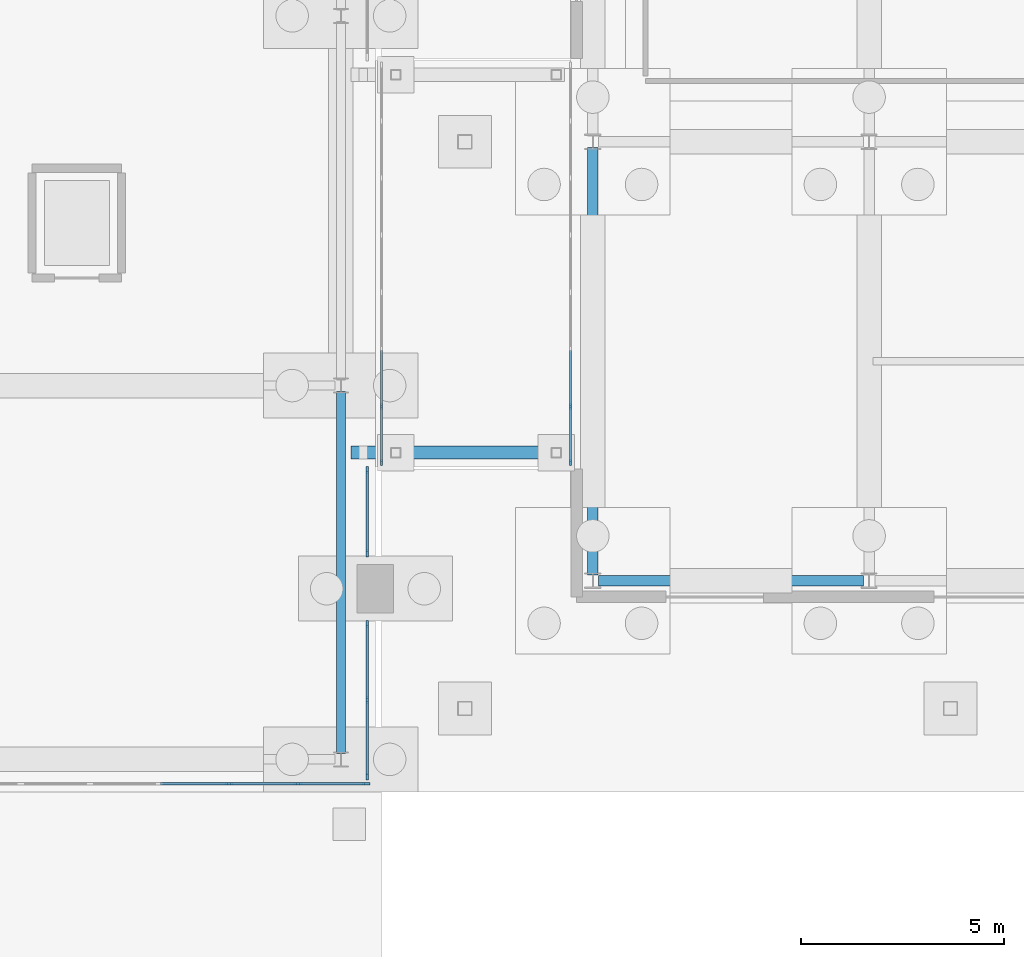
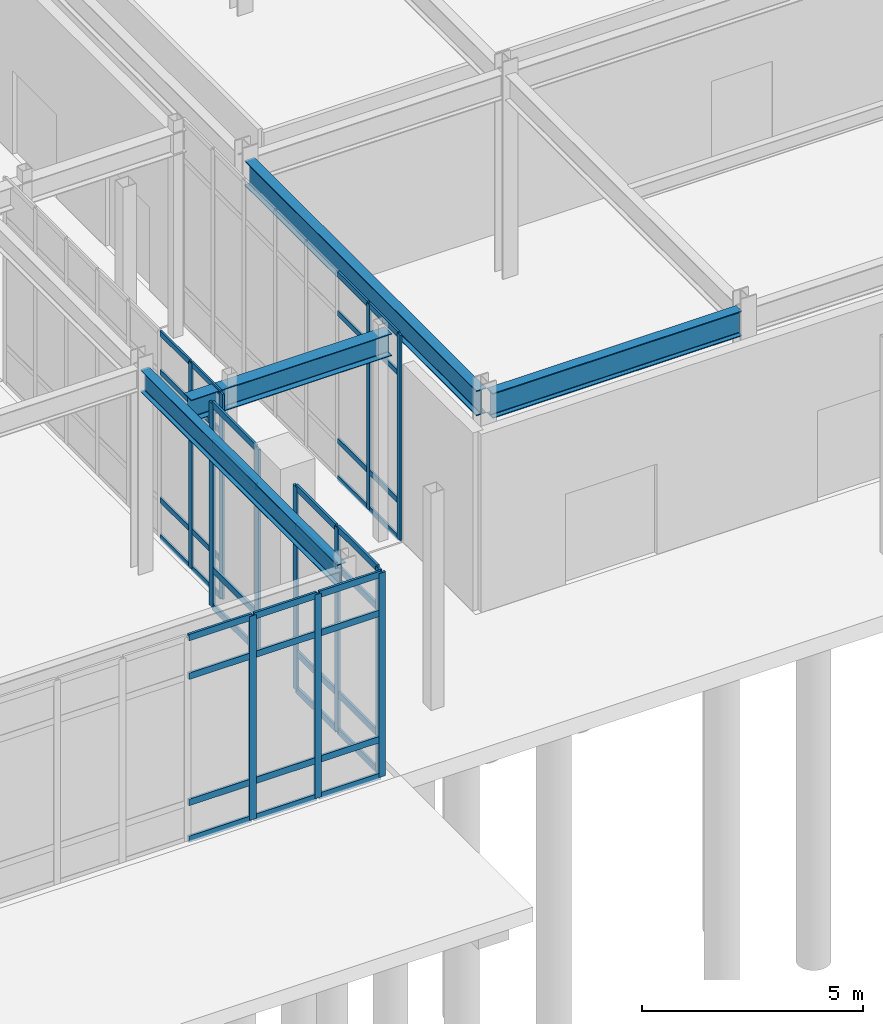
# One storey, part 55 of 143: 52 members, 4 beams, 5 elements without a shape of their own.
"""IFC4 building model written with IfcOpenShell, lengths in metres."""

from ifc_helpers import new_model, si_unit, derived_unit, direction, frame, origin, origin_2d, place, context, subcontext, project, spatial, rectangle, i_section, extrude, material, layer, layer_set, material_profile, profile_set, type_object, element, aggregate, save


model = new_model("IFC4")

# Units and contexts
model_context = context("Model", 3, precision=1e-05, world=origin(), true_north=direction((0.0, 1.0)))
body_context = subcontext(model_context, "Body", "Model", "MODEL_VIEW")
ifc_project = project(units=[si_unit("LENGTHUNIT", "METRE"), si_unit("AREAUNIT", "SQUARE_METRE"), si_unit("VOLUMEUNIT", "CUBIC_METRE"), si_unit("PLANEANGLEUNIT", "RADIAN"), si_unit("MASSUNIT", "GRAM", prefix="KILO"), derived_unit("THERMALTRANSMITTANCEUNIT", [(si_unit("MASSUNIT", "GRAM", prefix="KILO"), 1), (si_unit("TIMEUNIT", "SECOND"), -3), (si_unit("THERMODYNAMICTEMPERATUREUNIT", "KELVIN"), -1)])], contexts=[model_context])

# Site, building, storey
site_placement = place(None, origin())
site = spatial("IfcSite", under=ifc_project, at=site_placement, CompositionType="ELEMENT")
building_placement = place(site_placement, origin())
building = spatial("IfcBuilding", under=site, at=building_placement, Name="Valcora Ridge Arena", CompositionType="ELEMENT")
storey_placement = place(building_placement, origin())
storey = spatial("IfcBuildingStorey", under=building, at=storey_placement, Name="L00", CompositionType="ELEMENT", Elevation=0.0)

# Beams
ifc_material_1 = material(Name="Steel ASTM A572 Grade 50", Category="steel")
ifc_material_profile_1 = material_profile(ifc_material_1, i_section(OverallWidth=0.324951171875, OverallDepth=0.612060546875, WebThickness=0.0126953125, FlangeThickness=0.01904296875, FilletRadius=0.01806640625, at=origin_2d()), Name="W24X104")
ifc_profile_set_1 = profile_set([ifc_material_profile_1], Name="Steel ASTM A572 Grade 50")
beam_type_1 = type_object("IfcBeamType", Name="TY-BEAM-B-SJ1", PredefinedType="BEAM", material=ifc_profile_set_1)
beam_1_placement = place(storey_placement, frame((131.25, 8.35009765625, 5.3740234375), z_axis=(1.0, 0.0, 0.0), x_axis=(0.0, 1.0, 0.0)))
element("IfcBeam", 1, at=beam_1_placement, inside=storey, type_object=beam_type_1, Name="B-SJ1 BEM-SJ-B-SJ1-0003", PredefinedType="BEAM", context=body_context, shape_type="SweptSolid", body=[
    extrude(i_section(OverallWidth=0.324951171875, OverallDepth=0.612060546875, WebThickness=0.0126953125, FlangeThickness=0.01904296875, FilletRadius=0.01806640625, at=origin_2d()), origin(), (0.0, 0.0, 1.0), 5.25),
])
ifc_material_profile_2 = material_profile(ifc_material_1, i_section(OverallWidth=0.22900390625, OverallDepth=0.612060546875, WebThickness=0.011962890625, FlangeThickness=0.01953125, FilletRadius=0.01806640625, at=origin_2d()), Name="W24X84")
ifc_profile_set_2 = profile_set([ifc_material_profile_2], Name="Steel ASTM A572 Grade 50")
beam_type_2 = type_object("IfcBeamType", Name="TY-BEAM-G-W24X84-Y", PredefinedType="BEAM", material=ifc_profile_set_2)
beam_2_placement = place(storey_placement, frame((131.0, 0.93994140625, 5.333984375), z_axis=(0.0, 1.0, 0.0), x_axis=(-1.0, 0.0, 0.0)))
element("IfcBeam", 2, at=beam_2_placement, inside=storey, type_object=beam_type_2, Name="G-W24X84-Y BEM-G-W24X84-Y-0005", PredefinedType="BEAM", context=body_context, shape_type="SweptSolid", body=[
    extrude(i_section(OverallWidth=0.22900390625, OverallDepth=0.612060546875, WebThickness=0.011962890625, FlangeThickness=0.01953125, FilletRadius=0.01806640625, at=origin_2d()), origin(), (0.0, 0.0, 1.0), 8.920166015625),
])
ifc_material_profile_3 = material_profile(ifc_material_1, i_section(OverallWidth=0.256103515625, OverallDepth=0.693115234375, WebThickness=0.014404296875, FlangeThickness=0.023681640625, FilletRadius=0.02001953125, at=origin_2d()), Name="W27X114")
ifc_profile_set_3 = profile_set([ifc_material_profile_3], Name="Steel ASTM A572 Grade 50")
beam_type_3 = type_object("IfcBeamType", Name="TY-BEAM-G-W27X114-Y", PredefinedType="BEAM", material=ifc_profile_set_3)
beam_3_placement = place(storey_placement, frame((137.199951171875, 5.340087890625, 5.2734375), z_axis=(0.0, 1.0, 0.0), x_axis=(-1.0, 0.0, 0.0)))
element("IfcBeam", 3, at=beam_3_placement, inside=storey, type_object=beam_type_3, Name="G-W27X114-Y BEM-G-W27X114-Y-0001", PredefinedType="BEAM", context=body_context, shape_type="SweptSolid", body=[
    extrude(i_section(OverallWidth=0.256103515625, OverallDepth=0.693115234375, WebThickness=0.014404296875, FlangeThickness=0.023681640625, FilletRadius=0.02001953125, at=origin_2d()), origin(), (0.0, 0.0, 1.0), 10.52001953125),
])
ifc_material_profile_4 = material_profile(ifc_material_1, i_section(OverallWidth=0.256103515625, OverallDepth=0.693115234375, WebThickness=0.014404296875, FlangeThickness=0.023681640625, FilletRadius=0.02001953125, at=origin_2d()), Name="W27X114")
ifc_profile_set_4 = profile_set([ifc_material_profile_4], Name="Steel ASTM A572 Grade 50")
beam_type_4 = type_object("IfcBeamType", Name="TY-BEAM-SP-W27X114", PredefinedType="SPANDREL", material=ifc_profile_set_4)
beam_4_placement = place(storey_placement, frame((137.340087890625, 5.199951171875, 5.2734375), z_axis=(1.0, 0.0, 0.0), x_axis=(0.0, 1.0, 0.0)))
element("IfcBeam", 4, at=beam_4_placement, inside=storey, type_object=beam_type_4, Name="SP-W27X114 BEM-SP-W27X114-0001", PredefinedType="SPANDREL", context=body_context, shape_type="SweptSolid", body=[
    extrude(i_section(OverallWidth=0.256103515625, OverallDepth=0.693115234375, WebThickness=0.014404296875, FlangeThickness=0.023681640625, FilletRadius=0.02001953125, at=origin_2d()), origin(), (0.0, 0.0, 1.0), 6.52001953125),
])

# Curtain wall, members
ifc_material_2 = material(Name="Anodised dark bronze architectural aluminium 6063-T6", Category="aluminium")
ifc_layer_1 = layer(ifc_material_2, 0.14990234375, Name="Anodised dark bronze architectural aluminium 6063-T6")
ifc_layer_set_1 = layer_set([ifc_layer_1], Name="Anodised dark bronze architectural aluminium 6063-T6")
curtain_wall_type_1 = type_object("IfcCurtainWallType", Name="TY-CURTAINWALL-CW-BRG-098X57", PredefinedType="NOTDEFINED", material=ifc_layer_set_1)
curtain_wall_1_placement = place(storey_placement, origin())
curtain_wall_1 = element("IfcCurtainWall", 5, at=curtain_wall_1_placement, inside=storey, type_object=curtain_wall_type_1, Name="CW-BRG-098X57 CW-0350", PredefinedType="NOTDEFINED")
ifc_material_profile_5 = material_profile(ifc_material_2, rectangle(XDim=0.050048828125, YDim=0.14990234375, at=origin_2d()), Name="ALU MULLION 50x150")
ifc_profile_set_5 = profile_set([ifc_material_profile_5], Name="Anodised dark bronze architectural aluminium 6063-T6")
member_type_1 = type_object("IfcMemberType", Name="TY-MEM-CWM-50x150", PredefinedType="MULLION", material=ifc_profile_set_5)
member_1_placement = place(storey_placement, frame((132.0, 8.10498046875, 0.0), z_axis=(0.0, 0.0, 1.0), x_axis=(-1.0, 0.0, 0.0)))
member_1 = element("IfcMember", 6, at=member_1_placement, type_object=member_type_1, Name="CW-0350/CWM-50x150/M00", PredefinedType="MULLION", context=body_context, shape_type="SweptSolid", body=[
    extrude(rectangle(XDim=0.050048828125, YDim=0.14990234375, at=origin_2d()), origin(), (0.0, 0.0, 1.0), 5.679931640625),
])
member_2_placement = place(storey_placement, frame((132.0, 9.485595703125, 0.0), z_axis=(0.0, 0.0, 1.0), x_axis=(-1.0, 0.0, 0.0)))
member_2 = element("IfcMember", 7, at=member_2_placement, type_object=member_type_1, Name="CW-0350/CWM-50x150/M01", PredefinedType="MULLION", context=body_context, shape_type="SweptSolid", body=[
    extrude(rectangle(XDim=0.050048828125, YDim=0.14990234375, at=origin_2d()), origin(), (0.0, 0.0, 1.0), 5.679931640625),
])

curtain_wall_2_placement = place(storey_placement, origin())
curtain_wall_2 = element("IfcCurtainWall", 8, at=curtain_wall_2_placement, inside=storey, type_object=curtain_wall_type_1, Name="CW-BRG-098X57 CW-0351", PredefinedType="NOTDEFINED")
member_3_placement = place(storey_placement, frame((136.64990234375, 8.10498046875, 0.0), z_axis=(0.0, 0.0, 1.0), x_axis=(-1.0, 0.0, 0.0)))
member_3 = element("IfcMember", 9, at=member_3_placement, type_object=member_type_1, Name="CW-0351/CWM-50x150/M00", PredefinedType="MULLION", context=body_context, shape_type="SweptSolid", body=[
    extrude(rectangle(XDim=0.050048828125, YDim=0.14990234375, at=origin_2d()), origin(), (0.0, 0.0, 1.0), 5.679931640625),
])
member_4_placement = place(storey_placement, frame((136.64990234375, 9.485595703125, 0.0), z_axis=(0.0, 0.0, 1.0), x_axis=(-1.0, 0.0, 0.0)))
member_4 = element("IfcMember", 10, at=member_4_placement, type_object=member_type_1, Name="CW-0351/CWM-50x150/M01", PredefinedType="MULLION", context=body_context, shape_type="SweptSolid", body=[
    extrude(rectangle(XDim=0.050048828125, YDim=0.14990234375, at=origin_2d()), origin(), (0.0, 0.0, 1.0), 5.679931640625),
])

ifc_layer_2 = layer(ifc_material_2, 0.179931640625, Name="Anodised dark bronze architectural aluminium 6063-T6")
ifc_layer_set_2 = layer_set([ifc_layer_2], Name="Anodised dark bronze architectural aluminium 6063-T6")
curtain_wall_type_2 = type_object("IfcCurtainWallType", Name="TY-CURTAINWALL-CW-V3-LANCET-136X56", PredefinedType="NOTDEFINED", material=ifc_layer_set_2)
curtain_wall_3_placement = place(storey_placement, origin())
curtain_wall_3 = element("IfcCurtainWall", 11, at=curtain_wall_3_placement, inside=storey, type_object=curtain_wall_type_2, Name="CW-V3-LANCET-136X56 CW-0001", PredefinedType="NOTDEFINED")
ifc_material_profile_6 = material_profile(ifc_material_2, rectangle(XDim=0.06005859375, YDim=0.179931640625, at=origin_2d()), Name="ALU MULLION 60x180")
ifc_profile_set_6 = profile_set([ifc_material_profile_6], Name="Anodised dark bronze architectural aluminium 6063-T6")
member_type_2 = type_object("IfcMemberType", Name="TY-MEM-CWM-60x180", PredefinedType="MULLION", material=ifc_profile_set_6)
member_5_placement = place(storey_placement, frame((128.237548828125, 0.199951171875, 0.0), z_axis=(0.0, 0.0, 1.0), x_axis=(0.0, 1.0, 0.0)))
member_5 = element("IfcMember", 12, at=member_5_placement, type_object=member_type_2, Name="CW-0001/CWM-60x180/M06", PredefinedType="MULLION", context=body_context, shape_type="SweptSolid", body=[
    extrude(rectangle(XDim=0.06005859375, YDim=0.179931640625, at=origin_2d()), origin(), (0.0, 0.0, 1.0), 5.639892578125),
])
member_6_placement = place(storey_placement, frame((129.943603515625, 0.199951171875, 0.0), z_axis=(0.0, 0.0, 1.0), x_axis=(0.0, 1.0, 0.0)))
member_6 = element("IfcMember", 13, at=member_6_placement, type_object=member_type_2, Name="CW-0001/CWM-60x180/M07", PredefinedType="MULLION", context=body_context, shape_type="SweptSolid", body=[
    extrude(rectangle(XDim=0.06005859375, YDim=0.179931640625, at=origin_2d()), origin(), (0.0, 0.0, 1.0), 5.639892578125),
])
member_7_placement = place(storey_placement, frame((131.6201171875, 0.199951171875, 0.0), z_axis=(0.0, 0.0, 1.0), x_axis=(0.0, 1.0, 0.0)))
member_7 = element("IfcMember", 14, at=member_7_placement, type_object=member_type_2, Name="CW-0001/CWM-60x180/M08", PredefinedType="MULLION", context=body_context, shape_type="SweptSolid", body=[
    extrude(rectangle(XDim=0.06005859375, YDim=0.179931640625, at=origin_2d()), origin(), (0.0, 0.0, 1.0), 5.639892578125),
])

ifc_layer_3 = layer(ifc_material_2, 0.179931640625, Name="Anodised dark bronze architectural aluminium 6063-T6")
ifc_layer_set_3 = layer_set([ifc_layer_3], Name="Anodised dark bronze architectural aluminium 6063-T6")
curtain_wall_type_3 = type_object("IfcCurtainWallType", Name="TY-CURTAINWALL-CW-V3-LANCET-038X56", PredefinedType="NOTDEFINED", material=ifc_layer_set_3)
curtain_wall_4_placement = place(storey_placement, origin())
curtain_wall_4 = element("IfcCurtainWall", 15, at=curtain_wall_4_placement, inside=storey, type_object=curtain_wall_type_3, Name="CW-V3-LANCET-038X56 CW-0002", PredefinedType="NOTDEFINED")
member_8_placement = place(storey_placement, frame((131.64990234375, 0.3798828125, 0.0), z_axis=(0.0, 0.0, 1.0), x_axis=(-1.0, 0.0, 0.0)))
member_8 = element("IfcMember", 16, at=member_8_placement, type_object=member_type_2, Name="CW-0002/CWM-60x180/M00", PredefinedType="MULLION", context=body_context, shape_type="SweptSolid", body=[
    extrude(rectangle(XDim=0.06005859375, YDim=0.179931640625, at=origin_2d()), origin(), (0.0, 0.0, 1.0), 5.639892578125),
])
member_9_placement = place(storey_placement, frame((131.64990234375, 2.2548828125, 0.0), z_axis=(0.0, 0.0, 1.0), x_axis=(-1.0, 0.0, 0.0)))
member_9 = element("IfcMember", 17, at=member_9_placement, type_object=member_type_2, Name="CW-0002/CWM-60x180/M01", PredefinedType="MULLION", context=body_context, shape_type="SweptSolid", body=[
    extrude(rectangle(XDim=0.06005859375, YDim=0.179931640625, at=origin_2d()), origin(), (0.0, 0.0, 1.0), 5.639892578125),
])
member_10_placement = place(storey_placement, frame((131.64990234375, 4.1298828125, 0.0), z_axis=(0.0, 0.0, 1.0), x_axis=(-1.0, 0.0, 0.0)))
member_10 = element("IfcMember", 18, at=member_10_placement, type_object=member_type_2, Name="CW-0002/CWM-60x180/M02", PredefinedType="MULLION", context=body_context, shape_type="SweptSolid", body=[
    extrude(rectangle(XDim=0.06005859375, YDim=0.179931640625, at=origin_2d()), origin(), (0.0, 0.0, 1.0), 5.639892578125),
])

ifc_layer_4 = layer(ifc_material_2, 0.179931640625, Name="Anodised dark bronze architectural aluminium 6063-T6")
ifc_layer_set_4 = layer_set([ifc_layer_4], Name="Anodised dark bronze architectural aluminium 6063-T6")
curtain_wall_type_4 = type_object("IfcCurtainWallType", Name="TY-CURTAINWALL-CW-V3-LANCET-021X56", PredefinedType="NOTDEFINED", material=ifc_layer_set_4)
curtain_wall_5_placement = place(storey_placement, origin())
curtain_wall_5 = element("IfcCurtainWall", 19, at=curtain_wall_5_placement, inside=storey, type_object=curtain_wall_type_4, Name="CW-V3-LANCET-021X56 CW-0003", PredefinedType="NOTDEFINED")
member_11_placement = place(storey_placement, frame((131.64990234375, 5.8701171875, 0.0), z_axis=(0.0, 0.0, 1.0), x_axis=(-1.0, 0.0, 0.0)))
member_11 = element("IfcMember", 20, at=member_11_placement, type_object=member_type_2, Name="CW-0003/CWM-60x180/M00", PredefinedType="MULLION", context=body_context, shape_type="SweptSolid", body=[
    extrude(rectangle(XDim=0.06005859375, YDim=0.179931640625, at=origin_2d()), origin(), (0.0, 0.0, 1.0), 5.639892578125),
])
member_12_placement = place(storey_placement, frame((131.64990234375, 7.919921875, 0.0), z_axis=(0.0, 0.0, 1.0), x_axis=(-1.0, 0.0, 0.0)))
member_12 = element("IfcMember", 21, at=member_12_placement, type_object=member_type_2, Name="CW-0003/CWM-60x180/M01", PredefinedType="MULLION", context=body_context, shape_type="SweptSolid", body=[
    extrude(rectangle(XDim=0.06005859375, YDim=0.179931640625, at=origin_2d()), origin(), (0.0, 0.0, 1.0), 5.639892578125),
])

# Member
ifc_material_profile_7 = material_profile(ifc_material_2, rectangle(XDim=0.050048828125, YDim=0.14990234375, at=origin_2d()), Name="ALU TRANSOM 50x150")
ifc_profile_set_7 = profile_set([ifc_material_profile_7], Name="Anodised dark bronze architectural aluminium 6063-T6")
member_type_3 = type_object("IfcMemberType", Name="TY-MEM-CWT-50x150", PredefinedType="USERDEFINED", material=ifc_profile_set_7)
member_13_placement = place(storey_placement, frame((132.0, 8.1298828125, 0.02490234375), z_axis=(0.0, 1.0, 0.0), x_axis=(-1.0, 0.0, 0.0)))
member_13 = element("IfcMember", 22, at=member_13_placement, type_object=member_type_3, Name="CW-0350/CWT-50x150/T00-00", ObjectType="TRANSOM", PredefinedType="USERDEFINED", context=body_context, shape_type="SweptSolid", body=[
    extrude(rectangle(XDim=0.050048828125, YDim=0.14990234375, at=origin_2d()), origin(), (0.0, 0.0, 1.0), 1.3310546875),
])

member_14_placement = place(storey_placement, frame((132.0, 8.1298828125, 1.050048828125), z_axis=(0.0, 1.0, 0.0), x_axis=(-1.0, 0.0, 0.0)))
member_14 = element("IfcMember", 23, at=member_14_placement, type_object=member_type_3, Name="CW-0350/CWT-50x150/T00-01", ObjectType="TRANSOM", PredefinedType="USERDEFINED", context=body_context, shape_type="SweptSolid", body=[
    extrude(rectangle(XDim=0.050048828125, YDim=0.14990234375, at=origin_2d()), origin(), (0.0, 0.0, 1.0), 1.3310546875),
])

member_15_placement = place(storey_placement, frame((132.0, 8.1298828125, 4.580078125), z_axis=(0.0, 1.0, 0.0), x_axis=(-1.0, 0.0, 0.0)))
member_15 = element("IfcMember", 24, at=member_15_placement, type_object=member_type_3, Name="CW-0350/CWT-50x150/T00-02", ObjectType="TRANSOM", PredefinedType="USERDEFINED", context=body_context, shape_type="SweptSolid", body=[
    extrude(rectangle(XDim=0.050048828125, YDim=0.14990234375, at=origin_2d()), origin(), (0.0, 0.0, 1.0), 1.3310546875),
])

member_16_placement = place(storey_placement, frame((132.0, 8.1298828125, 5.655029296875), z_axis=(0.0, 1.0, 0.0), x_axis=(-1.0, 0.0, 0.0)))
member_16 = element("IfcMember", 25, at=member_16_placement, type_object=member_type_3, Name="CW-0350/CWT-50x150/T00-03", ObjectType="TRANSOM", PredefinedType="USERDEFINED", context=body_context, shape_type="SweptSolid", body=[
    extrude(rectangle(XDim=0.050048828125, YDim=0.14990234375, at=origin_2d()), origin(), (0.0, 0.0, 1.0), 1.3310546875),
])

member_17_placement = place(storey_placement, frame((132.0, 9.510986328125, 0.02490234375), z_axis=(0.0, 1.0, 0.0), x_axis=(-1.0, 0.0, 0.0)))
member_17 = element("IfcMember", 26, at=member_17_placement, type_object=member_type_3, Name="CW-0350/CWT-50x150/T01-00", ObjectType="TRANSOM", PredefinedType="USERDEFINED", context=body_context, shape_type="SweptSolid", body=[
    extrude(rectangle(XDim=0.050048828125, YDim=0.14990234375, at=origin_2d()), origin(), (0.0, 0.0, 1.0), 1.35498046875),
])

member_18_placement = place(storey_placement, frame((132.0, 9.510986328125, 1.050048828125), z_axis=(0.0, 1.0, 0.0), x_axis=(-1.0, 0.0, 0.0)))
member_18 = element("IfcMember", 27, at=member_18_placement, type_object=member_type_3, Name="CW-0350/CWT-50x150/T01-01", ObjectType="TRANSOM", PredefinedType="USERDEFINED", context=body_context, shape_type="SweptSolid", body=[
    extrude(rectangle(XDim=0.050048828125, YDim=0.14990234375, at=origin_2d()), origin(), (0.0, 0.0, 1.0), 1.35498046875),
])

member_19_placement = place(storey_placement, frame((132.0, 9.510986328125, 4.580078125), z_axis=(0.0, 1.0, 0.0), x_axis=(-1.0, 0.0, 0.0)))
member_19 = element("IfcMember", 28, at=member_19_placement, type_object=member_type_3, Name="CW-0350/CWT-50x150/T01-02", ObjectType="TRANSOM", PredefinedType="USERDEFINED", context=body_context, shape_type="SweptSolid", body=[
    extrude(rectangle(XDim=0.050048828125, YDim=0.14990234375, at=origin_2d()), origin(), (0.0, 0.0, 1.0), 1.35498046875),
])

member_20_placement = place(storey_placement, frame((132.0, 9.510986328125, 5.655029296875), z_axis=(0.0, 1.0, 0.0), x_axis=(-1.0, 0.0, 0.0)))
member_20 = element("IfcMember", 29, at=member_20_placement, type_object=member_type_3, Name="CW-0350/CWT-50x150/T01-03", ObjectType="TRANSOM", PredefinedType="USERDEFINED", context=body_context, shape_type="SweptSolid", body=[
    extrude(rectangle(XDim=0.050048828125, YDim=0.14990234375, at=origin_2d()), origin(), (0.0, 0.0, 1.0), 1.35498046875),
])

aggregate(curtain_wall_1, [member_1, member_2, member_13, member_14, member_15, member_16, member_17, member_18, member_19, member_20])

member_21_placement = place(storey_placement, frame((136.64990234375, 8.1298828125, 0.02490234375), z_axis=(0.0, 1.0, 0.0), x_axis=(-1.0, 0.0, 0.0)))
member_21 = element("IfcMember", 30, at=member_21_placement, type_object=member_type_3, Name="CW-0351/CWT-50x150/T00-00", ObjectType="TRANSOM", PredefinedType="USERDEFINED", context=body_context, shape_type="SweptSolid", body=[
    extrude(rectangle(XDim=0.050048828125, YDim=0.14990234375, at=origin_2d()), origin(), (0.0, 0.0, 1.0), 1.3310546875),
])

member_22_placement = place(storey_placement, frame((136.64990234375, 8.1298828125, 1.050048828125), z_axis=(0.0, 1.0, 0.0), x_axis=(-1.0, 0.0, 0.0)))
member_22 = element("IfcMember", 31, at=member_22_placement, type_object=member_type_3, Name="CW-0351/CWT-50x150/T00-01", ObjectType="TRANSOM", PredefinedType="USERDEFINED", context=body_context, shape_type="SweptSolid", body=[
    extrude(rectangle(XDim=0.050048828125, YDim=0.14990234375, at=origin_2d()), origin(), (0.0, 0.0, 1.0), 1.3310546875),
])

member_23_placement = place(storey_placement, frame((136.64990234375, 8.1298828125, 4.580078125), z_axis=(0.0, 1.0, 0.0), x_axis=(-1.0, 0.0, 0.0)))
member_23 = element("IfcMember", 32, at=member_23_placement, type_object=member_type_3, Name="CW-0351/CWT-50x150/T00-02", ObjectType="TRANSOM", PredefinedType="USERDEFINED", context=body_context, shape_type="SweptSolid", body=[
    extrude(rectangle(XDim=0.050048828125, YDim=0.14990234375, at=origin_2d()), origin(), (0.0, 0.0, 1.0), 1.3310546875),
])

member_24_placement = place(storey_placement, frame((136.64990234375, 8.1298828125, 5.655029296875), z_axis=(0.0, 1.0, 0.0), x_axis=(-1.0, 0.0, 0.0)))
member_24 = element("IfcMember", 33, at=member_24_placement, type_object=member_type_3, Name="CW-0351/CWT-50x150/T00-03", ObjectType="TRANSOM", PredefinedType="USERDEFINED", context=body_context, shape_type="SweptSolid", body=[
    extrude(rectangle(XDim=0.050048828125, YDim=0.14990234375, at=origin_2d()), origin(), (0.0, 0.0, 1.0), 1.3310546875),
])

member_25_placement = place(storey_placement, frame((136.64990234375, 9.510986328125, 0.02490234375), z_axis=(0.0, 1.0, 0.0), x_axis=(-1.0, 0.0, 0.0)))
member_25 = element("IfcMember", 34, at=member_25_placement, type_object=member_type_3, Name="CW-0351/CWT-50x150/T01-00", ObjectType="TRANSOM", PredefinedType="USERDEFINED", context=body_context, shape_type="SweptSolid", body=[
    extrude(rectangle(XDim=0.050048828125, YDim=0.14990234375, at=origin_2d()), origin(), (0.0, 0.0, 1.0), 1.35498046875),
])

member_26_placement = place(storey_placement, frame((136.64990234375, 9.510986328125, 1.050048828125), z_axis=(0.0, 1.0, 0.0), x_axis=(-1.0, 0.0, 0.0)))
member_26 = element("IfcMember", 35, at=member_26_placement, type_object=member_type_3, Name="CW-0351/CWT-50x150/T01-01", ObjectType="TRANSOM", PredefinedType="USERDEFINED", context=body_context, shape_type="SweptSolid", body=[
    extrude(rectangle(XDim=0.050048828125, YDim=0.14990234375, at=origin_2d()), origin(), (0.0, 0.0, 1.0), 1.35498046875),
])

member_27_placement = place(storey_placement, frame((136.64990234375, 9.510986328125, 4.580078125), z_axis=(0.0, 1.0, 0.0), x_axis=(-1.0, 0.0, 0.0)))
member_27 = element("IfcMember", 36, at=member_27_placement, type_object=member_type_3, Name="CW-0351/CWT-50x150/T01-02", ObjectType="TRANSOM", PredefinedType="USERDEFINED", context=body_context, shape_type="SweptSolid", body=[
    extrude(rectangle(XDim=0.050048828125, YDim=0.14990234375, at=origin_2d()), origin(), (0.0, 0.0, 1.0), 1.35498046875),
])

member_28_placement = place(storey_placement, frame((136.64990234375, 9.510986328125, 5.655029296875), z_axis=(0.0, 1.0, 0.0), x_axis=(-1.0, 0.0, 0.0)))
member_28 = element("IfcMember", 37, at=member_28_placement, type_object=member_type_3, Name="CW-0351/CWT-50x150/T01-03", ObjectType="TRANSOM", PredefinedType="USERDEFINED", context=body_context, shape_type="SweptSolid", body=[
    extrude(rectangle(XDim=0.050048828125, YDim=0.14990234375, at=origin_2d()), origin(), (0.0, 0.0, 1.0), 1.35498046875),
])

aggregate(curtain_wall_2, [member_3, member_4, member_21, member_22, member_23, member_24, member_25, member_26, member_27, member_28])

ifc_material_profile_8 = material_profile(ifc_material_2, rectangle(XDim=0.06005859375, YDim=0.179931640625, at=origin_2d()), Name="ALU TRANSOM 60x180")
ifc_profile_set_8 = profile_set([ifc_material_profile_8], Name="Anodised dark bronze architectural aluminium 6063-T6")
member_type_4 = type_object("IfcMemberType", Name="TY-MEM-CWT-60x180", PredefinedType="USERDEFINED", material=ifc_profile_set_8)
member_29_placement = place(storey_placement, frame((126.56103515625, 0.199951171875, 0.030029296875), z_axis=(1.0, 0.0, 0.0), x_axis=(0.0, 1.0, 0.0)))
member_29 = element("IfcMember", 38, at=member_29_placement, type_object=member_type_4, Name="CW-0001/CWT-60x180/T05-00", ObjectType="TRANSOM", PredefinedType="USERDEFINED", context=body_context, shape_type="SweptSolid", body=[
    extrude(rectangle(XDim=0.06005859375, YDim=0.179931640625, at=origin_2d()), origin(), (0.0, 0.0, 1.0), 1.64697265625),
])

member_30_placement = place(storey_placement, frame((126.56103515625, 0.199951171875, 1.050048828125), z_axis=(1.0, 0.0, 0.0), x_axis=(0.0, 1.0, 0.0)))
member_30 = element("IfcMember", 39, at=member_30_placement, type_object=member_type_4, Name="CW-0001/CWT-60x180/T05-01", ObjectType="TRANSOM", PredefinedType="USERDEFINED", context=body_context, shape_type="SweptSolid", body=[
    extrude(rectangle(XDim=0.06005859375, YDim=0.179931640625, at=origin_2d()), origin(), (0.0, 0.0, 1.0), 1.64697265625),
])

member_31_placement = place(storey_placement, frame((126.56103515625, 0.199951171875, 4.5400390625), z_axis=(1.0, 0.0, 0.0), x_axis=(0.0, 1.0, 0.0)))
member_31 = element("IfcMember", 40, at=member_31_placement, type_object=member_type_4, Name="CW-0001/CWT-60x180/T05-02", ObjectType="TRANSOM", PredefinedType="USERDEFINED", context=body_context, shape_type="SweptSolid", body=[
    extrude(rectangle(XDim=0.06005859375, YDim=0.179931640625, at=origin_2d()), origin(), (0.0, 0.0, 1.0), 1.64697265625),
])

member_32_placement = place(storey_placement, frame((126.56103515625, 0.199951171875, 5.610107421875), z_axis=(1.0, 0.0, 0.0), x_axis=(0.0, 1.0, 0.0)))
member_32 = element("IfcMember", 41, at=member_32_placement, type_object=member_type_4, Name="CW-0001/CWT-60x180/T05-03", ObjectType="TRANSOM", PredefinedType="USERDEFINED", context=body_context, shape_type="SweptSolid", body=[
    extrude(rectangle(XDim=0.06005859375, YDim=0.179931640625, at=origin_2d()), origin(), (0.0, 0.0, 1.0), 1.64697265625),
])

member_33_placement = place(storey_placement, frame((128.26806640625, 0.199951171875, 0.030029296875), z_axis=(1.0, 0.0, 0.0), x_axis=(0.0, 1.0, 0.0)))
member_33 = element("IfcMember", 42, at=member_33_placement, type_object=member_type_4, Name="CW-0001/CWT-60x180/T06-00", ObjectType="TRANSOM", PredefinedType="USERDEFINED", context=body_context, shape_type="SweptSolid", body=[
    extrude(rectangle(XDim=0.06005859375, YDim=0.179931640625, at=origin_2d()), origin(), (0.0, 0.0, 1.0), 1.64599609375),
])

member_34_placement = place(storey_placement, frame((128.26806640625, 0.199951171875, 1.050048828125), z_axis=(1.0, 0.0, 0.0), x_axis=(0.0, 1.0, 0.0)))
member_34 = element("IfcMember", 43, at=member_34_placement, type_object=member_type_4, Name="CW-0001/CWT-60x180/T06-01", ObjectType="TRANSOM", PredefinedType="USERDEFINED", context=body_context, shape_type="SweptSolid", body=[
    extrude(rectangle(XDim=0.06005859375, YDim=0.179931640625, at=origin_2d()), origin(), (0.0, 0.0, 1.0), 1.64599609375),
])

member_35_placement = place(storey_placement, frame((128.26806640625, 0.199951171875, 4.5400390625), z_axis=(1.0, 0.0, 0.0), x_axis=(0.0, 1.0, 0.0)))
member_35 = element("IfcMember", 44, at=member_35_placement, type_object=member_type_4, Name="CW-0001/CWT-60x180/T06-02", ObjectType="TRANSOM", PredefinedType="USERDEFINED", context=body_context, shape_type="SweptSolid", body=[
    extrude(rectangle(XDim=0.06005859375, YDim=0.179931640625, at=origin_2d()), origin(), (0.0, 0.0, 1.0), 1.64599609375),
])

member_36_placement = place(storey_placement, frame((128.26806640625, 0.199951171875, 5.610107421875), z_axis=(1.0, 0.0, 0.0), x_axis=(0.0, 1.0, 0.0)))
member_36 = element("IfcMember", 45, at=member_36_placement, type_object=member_type_4, Name="CW-0001/CWT-60x180/T06-03", ObjectType="TRANSOM", PredefinedType="USERDEFINED", context=body_context, shape_type="SweptSolid", body=[
    extrude(rectangle(XDim=0.06005859375, YDim=0.179931640625, at=origin_2d()), origin(), (0.0, 0.0, 1.0), 1.64599609375),
])

member_37_placement = place(storey_placement, frame((129.97412109375, 0.199951171875, 0.030029296875), z_axis=(1.0, 0.0, 0.0), x_axis=(0.0, 1.0, 0.0)))
member_37 = element("IfcMember", 46, at=member_37_placement, type_object=member_type_4, Name="CW-0001/CWT-60x180/T07-00", ObjectType="TRANSOM", PredefinedType="USERDEFINED", context=body_context, shape_type="SweptSolid", body=[
    extrude(rectangle(XDim=0.06005859375, YDim=0.179931640625, at=origin_2d()), origin(), (0.0, 0.0, 1.0), 1.615966796875),
])

member_38_placement = place(storey_placement, frame((129.97412109375, 0.199951171875, 1.050048828125), z_axis=(1.0, 0.0, 0.0), x_axis=(0.0, 1.0, 0.0)))
member_38 = element("IfcMember", 47, at=member_38_placement, type_object=member_type_4, Name="CW-0001/CWT-60x180/T07-01", ObjectType="TRANSOM", PredefinedType="USERDEFINED", context=body_context, shape_type="SweptSolid", body=[
    extrude(rectangle(XDim=0.06005859375, YDim=0.179931640625, at=origin_2d()), origin(), (0.0, 0.0, 1.0), 1.615966796875),
])

member_39_placement = place(storey_placement, frame((129.97412109375, 0.199951171875, 4.5400390625), z_axis=(1.0, 0.0, 0.0), x_axis=(0.0, 1.0, 0.0)))
member_39 = element("IfcMember", 48, at=member_39_placement, type_object=member_type_4, Name="CW-0001/CWT-60x180/T07-02", ObjectType="TRANSOM", PredefinedType="USERDEFINED", context=body_context, shape_type="SweptSolid", body=[
    extrude(rectangle(XDim=0.06005859375, YDim=0.179931640625, at=origin_2d()), origin(), (0.0, 0.0, 1.0), 1.615966796875),
])

member_40_placement = place(storey_placement, frame((129.97412109375, 0.199951171875, 5.610107421875), z_axis=(1.0, 0.0, 0.0), x_axis=(0.0, 1.0, 0.0)))
member_40 = element("IfcMember", 49, at=member_40_placement, type_object=member_type_4, Name="CW-0001/CWT-60x180/T07-03", ObjectType="TRANSOM", PredefinedType="USERDEFINED", context=body_context, shape_type="SweptSolid", body=[
    extrude(rectangle(XDim=0.06005859375, YDim=0.179931640625, at=origin_2d()), origin(), (0.0, 0.0, 1.0), 1.615966796875),
])

aggregate(curtain_wall_3, [member_5, member_6, member_7, member_29, member_30, member_31, member_32, member_33, member_34, member_35, member_36, member_37, member_38, member_39, member_40])

member_41_placement = place(storey_placement, frame((131.64990234375, 0.409912109375, 0.030029296875), z_axis=(0.0, 1.0, 0.0), x_axis=(-1.0, 0.0, 0.0)))
member_41 = element("IfcMember", 50, at=member_41_placement, type_object=member_type_4, Name="CW-0002/CWT-60x180/T00-00", ObjectType="TRANSOM", PredefinedType="USERDEFINED", context=body_context, shape_type="SweptSolid", body=[
    extrude(rectangle(XDim=0.06005859375, YDim=0.179931640625, at=origin_2d()), origin(), (0.0, 0.0, 1.0), 1.815185546875),
])

member_42_placement = place(storey_placement, frame((131.64990234375, 0.409912109375, 1.050048828125), z_axis=(0.0, 1.0, 0.0), x_axis=(-1.0, 0.0, 0.0)))
member_42 = element("IfcMember", 51, at=member_42_placement, type_object=member_type_4, Name="CW-0002/CWT-60x180/T00-01", ObjectType="TRANSOM", PredefinedType="USERDEFINED", context=body_context, shape_type="SweptSolid", body=[
    extrude(rectangle(XDim=0.06005859375, YDim=0.179931640625, at=origin_2d()), origin(), (0.0, 0.0, 1.0), 1.815185546875),
])

member_43_placement = place(storey_placement, frame((131.64990234375, 0.409912109375, 4.5400390625), z_axis=(0.0, 1.0, 0.0), x_axis=(-1.0, 0.0, 0.0)))
member_43 = element("IfcMember", 52, at=member_43_placement, type_object=member_type_4, Name="CW-0002/CWT-60x180/T00-02", ObjectType="TRANSOM", PredefinedType="USERDEFINED", context=body_context, shape_type="SweptSolid", body=[
    extrude(rectangle(XDim=0.06005859375, YDim=0.179931640625, at=origin_2d()), origin(), (0.0, 0.0, 1.0), 1.815185546875),
])

member_44_placement = place(storey_placement, frame((131.64990234375, 0.409912109375, 5.610107421875), z_axis=(0.0, 1.0, 0.0), x_axis=(-1.0, 0.0, 0.0)))
member_44 = element("IfcMember", 53, at=member_44_placement, type_object=member_type_4, Name="CW-0002/CWT-60x180/T00-03", ObjectType="TRANSOM", PredefinedType="USERDEFINED", context=body_context, shape_type="SweptSolid", body=[
    extrude(rectangle(XDim=0.06005859375, YDim=0.179931640625, at=origin_2d()), origin(), (0.0, 0.0, 1.0), 1.815185546875),
])

member_45_placement = place(storey_placement, frame((131.64990234375, 2.284912109375, 0.030029296875), z_axis=(0.0, 1.0, 0.0), x_axis=(-1.0, 0.0, 0.0)))
member_45 = element("IfcMember", 54, at=member_45_placement, type_object=member_type_4, Name="CW-0002/CWT-60x180/T01-00", ObjectType="TRANSOM", PredefinedType="USERDEFINED", context=body_context, shape_type="SweptSolid", body=[
    extrude(rectangle(XDim=0.06005859375, YDim=0.179931640625, at=origin_2d()), origin(), (0.0, 0.0, 1.0), 1.815185546875),
])

member_46_placement = place(storey_placement, frame((131.64990234375, 2.284912109375, 1.050048828125), z_axis=(0.0, 1.0, 0.0), x_axis=(-1.0, 0.0, 0.0)))
member_46 = element("IfcMember", 55, at=member_46_placement, type_object=member_type_4, Name="CW-0002/CWT-60x180/T01-01", ObjectType="TRANSOM", PredefinedType="USERDEFINED", context=body_context, shape_type="SweptSolid", body=[
    extrude(rectangle(XDim=0.06005859375, YDim=0.179931640625, at=origin_2d()), origin(), (0.0, 0.0, 1.0), 1.815185546875),
])

member_47_placement = place(storey_placement, frame((131.64990234375, 2.284912109375, 4.5400390625), z_axis=(0.0, 1.0, 0.0), x_axis=(-1.0, 0.0, 0.0)))
member_47 = element("IfcMember", 56, at=member_47_placement, type_object=member_type_4, Name="CW-0002/CWT-60x180/T01-02", ObjectType="TRANSOM", PredefinedType="USERDEFINED", context=body_context, shape_type="SweptSolid", body=[
    extrude(rectangle(XDim=0.06005859375, YDim=0.179931640625, at=origin_2d()), origin(), (0.0, 0.0, 1.0), 1.815185546875),
])

member_48_placement = place(storey_placement, frame((131.64990234375, 2.284912109375, 5.610107421875), z_axis=(0.0, 1.0, 0.0), x_axis=(-1.0, 0.0, 0.0)))
member_48 = element("IfcMember", 57, at=member_48_placement, type_object=member_type_4, Name="CW-0002/CWT-60x180/T01-03", ObjectType="TRANSOM", PredefinedType="USERDEFINED", context=body_context, shape_type="SweptSolid", body=[
    extrude(rectangle(XDim=0.06005859375, YDim=0.179931640625, at=origin_2d()), origin(), (0.0, 0.0, 1.0), 1.815185546875),
])

aggregate(curtain_wall_4, [member_8, member_9, member_10, member_41, member_42, member_43, member_44, member_45, member_46, member_47, member_48])

member_49_placement = place(storey_placement, frame((131.64990234375, 5.89990234375, 0.030029296875), z_axis=(0.0, 1.0, 0.0), x_axis=(-1.0, 0.0, 0.0)))
member_49 = element("IfcMember", 58, at=member_49_placement, type_object=member_type_4, Name="CW-0003/CWT-60x180/T00-00", ObjectType="TRANSOM", PredefinedType="USERDEFINED", context=body_context, shape_type="SweptSolid", body=[
    extrude(rectangle(XDim=0.06005859375, YDim=0.179931640625, at=origin_2d()), origin(), (0.0, 0.0, 1.0), 1.989990234375),
])

member_50_placement = place(storey_placement, frame((131.64990234375, 5.89990234375, 1.050048828125), z_axis=(0.0, 1.0, 0.0), x_axis=(-1.0, 0.0, 0.0)))
member_50 = element("IfcMember", 59, at=member_50_placement, type_object=member_type_4, Name="CW-0003/CWT-60x180/T00-01", ObjectType="TRANSOM", PredefinedType="USERDEFINED", context=body_context, shape_type="SweptSolid", body=[
    extrude(rectangle(XDim=0.06005859375, YDim=0.179931640625, at=origin_2d()), origin(), (0.0, 0.0, 1.0), 1.989990234375),
])

member_51_placement = place(storey_placement, frame((131.64990234375, 5.89990234375, 4.5400390625), z_axis=(0.0, 1.0, 0.0), x_axis=(-1.0, 0.0, 0.0)))
member_51 = element("IfcMember", 60, at=member_51_placement, type_object=member_type_4, Name="CW-0003/CWT-60x180/T00-02", ObjectType="TRANSOM", PredefinedType="USERDEFINED", context=body_context, shape_type="SweptSolid", body=[
    extrude(rectangle(XDim=0.06005859375, YDim=0.179931640625, at=origin_2d()), origin(), (0.0, 0.0, 1.0), 1.989990234375),
])

member_52_placement = place(storey_placement, frame((131.64990234375, 5.89990234375, 5.610107421875), z_axis=(0.0, 1.0, 0.0), x_axis=(-1.0, 0.0, 0.0)))
member_52 = element("IfcMember", 61, at=member_52_placement, type_object=member_type_4, Name="CW-0003/CWT-60x180/T00-03", ObjectType="TRANSOM", PredefinedType="USERDEFINED", context=body_context, shape_type="SweptSolid", body=[
    extrude(rectangle(XDim=0.06005859375, YDim=0.179931640625, at=origin_2d()), origin(), (0.0, 0.0, 1.0), 1.989990234375),
])

aggregate(curtain_wall_5, [member_11, member_12, member_49, member_50, member_51, member_52])

save(model, "model.ifc")
